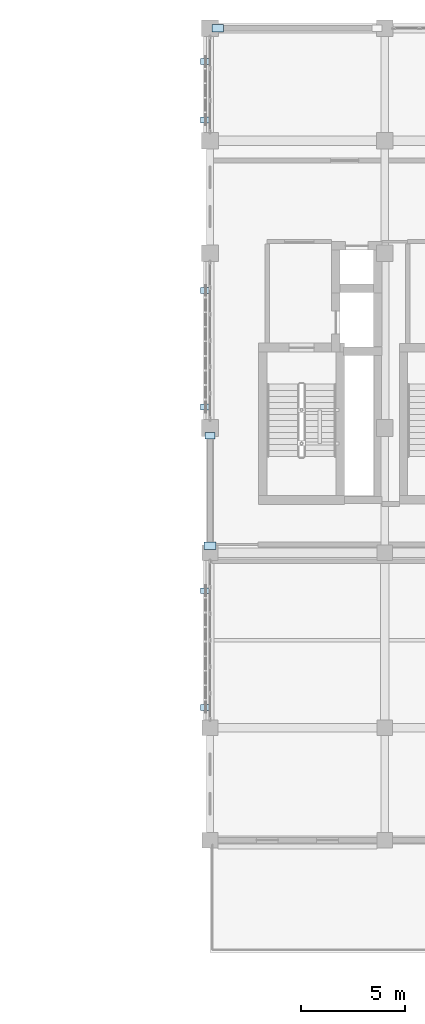
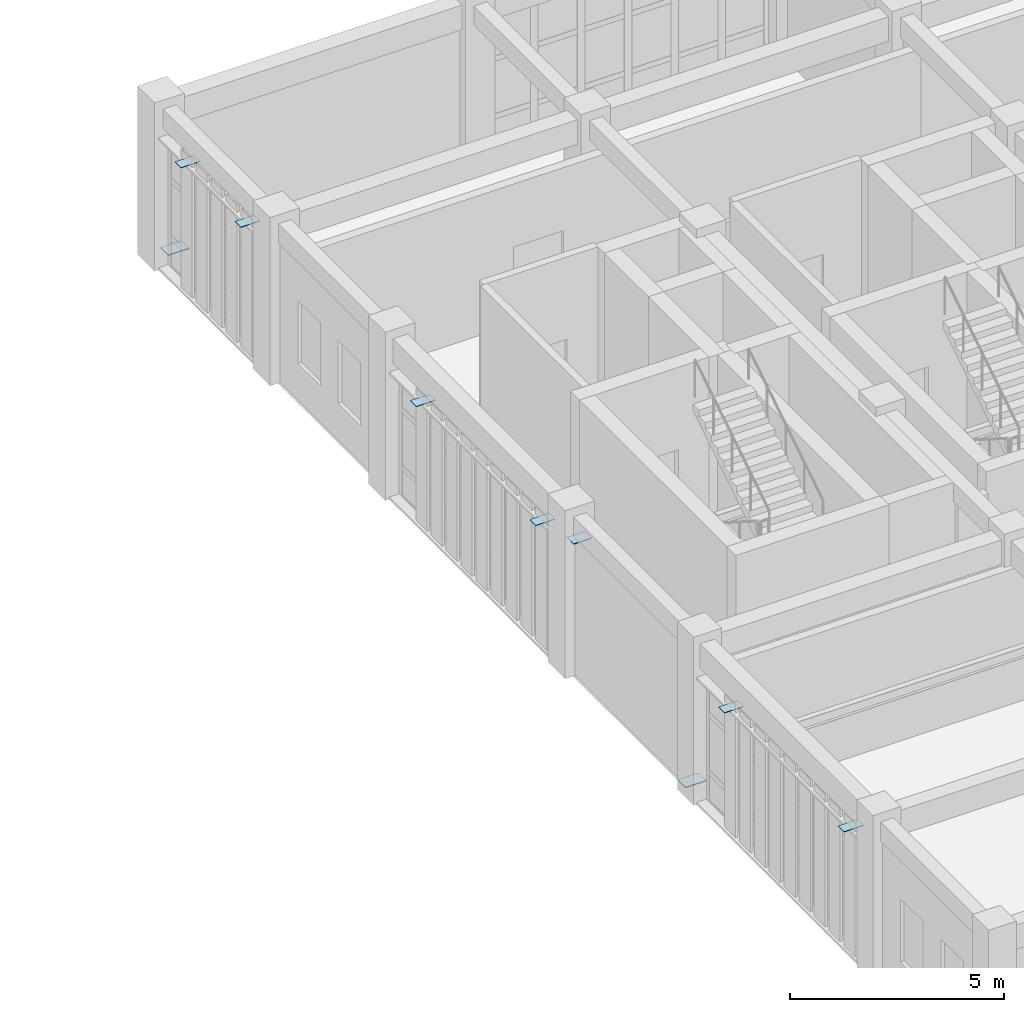
# One storey, part 65 of 76: 9 plates.
"""IFC4 building model written with IfcOpenShell, lengths in metres."""

from ifc_helpers import new_model, si_unit, direction, frame, origin, origin_2d, place, context, subcontext, project, spatial, rectangle, extrude, material, layer, layer_set, type_object, element, save


model = new_model("IFC4")

# Units and contexts
model_context = context("Model", 3, precision=1e-05, world=origin(), true_north=direction((0.0, 1.0)))
body_context = subcontext(model_context, "Body", "Model", "MODEL_VIEW")
ifc_project = project(units=[si_unit("LENGTHUNIT", "METRE"), si_unit("AREAUNIT", "SQUARE_METRE"), si_unit("VOLUMEUNIT", "CUBIC_METRE"), si_unit("PLANEANGLEUNIT", "RADIAN"), si_unit("MASSUNIT", "GRAM", prefix="KILO")], contexts=[model_context])

# Site, building, storey
site_placement = place(None, origin())
site = spatial("IfcSite", under=ifc_project, at=site_placement, CompositionType="ELEMENT")
building_placement = place(site_placement, origin())
building = spatial("IfcBuilding", under=site, at=building_placement, Name="Krzemoval Escarpment Law Courts", CompositionType="ELEMENT")
storey_placement = place(building_placement, frame((0.0, 0.0, 20.39990234375)))
storey = spatial("IfcBuildingStorey", under=building, at=storey_placement, Name="L04", CompositionType="ELEMENT", Elevation=20.39990234375)

# Plates
ifc_material_1 = material(Name="Anodised Aluminium Alloy 6063-T6", Category="aluminium")
ifc_layer_1 = layer(ifc_material_1, 0.01611328125)
ifc_layer_set_1 = layer_set([ifc_layer_1], Name="Anodised Aluminium Alloy 6063-T6")
plate_type_1 = type_object("IfcPlateType", Name="PLT-FIN-16", PredefinedType="USERDEFINED", material=ifc_layer_set_1)
for number, where, z_axis, x_axis, name in (
    (1, (125.800048828125, 86.175048828125, 3.6220703125), (0.0, 0.0, 1.0), (-1.0, 0.0, 0.0), "Sunshade Fin Blade FN-L04-0839"),
    (2, (125.800048828125, 91.77490234375, 3.6220703125), (0.0, 0.0, 1.0), (-1.0, 0.0, 0.0), "Sunshade Fin Blade FN-L04-0847"),
    (3, (125.800048828125, 100.60009765625, 3.6220703125), (0.0, 0.0, 1.0), (-1.0, 0.0, 0.0), "Sunshade Fin Blade FN-L04-0850"),
    (4, (125.800048828125, 106.199951171875, 3.6220703125), (0.0, 0.0, 1.0), (-1.0, 0.0, 0.0), "Sunshade Fin Blade FN-L04-0858"),
    (5, (125.800048828125, 114.39990234375, 3.77197265625), (0.0, 0.0, 1.0), (-1.0, 0.0, 0.0), "Sunshade Fin Blade FN-L04-0861"),
    (6, (125.800048828125, 117.199951171875, 3.77197265625), (0.0, 0.0, 1.0), (-1.0, 0.0, 0.0), "Sunshade Fin Blade FN-L04-0865"),
):
    element("IfcPlate", number, at=place(storey_placement, frame(where, z_axis=z_axis, x_axis=x_axis)), inside=storey, type_object=plate_type_1, Name=name, ObjectType="SUNSHADE_FIN", PredefinedType="USERDEFINED", context=body_context, shape_type="SweptSolid", body=[
        extrude(rectangle(XDim=0.52001953125, YDim=0.280029296875, at=origin_2d()), origin(), (0.0, 0.0, 1.0), 0.01611328125),
    ])
ifc_material_2 = material(Name="Steel S355", Category="steel")
ifc_layer_2 = layer(ifc_material_2, 0.02001953125)
ifc_layer_set_2 = layer_set([ifc_layer_2], Name="Steel S355")
plate_type_2 = type_object("IfcPlateType", Name="PLT-GUS-20", PredefinedType="USERDEFINED", material=ifc_layer_set_2)
plate_placement = place(storey_placement, frame((126.0, 99.22509765625, 3.860107421875), z_axis=(0.0, 0.0, 1.0), x_axis=(1.0, 0.0, 0.0)))
element("IfcPlate", 7, at=plate_placement, inside=storey, type_object=plate_type_2, Name="Gusset and End-Cap Plate ECP-0271", ObjectType="GUSSET_PLATE", PredefinedType="USERDEFINED", context=body_context, shape_type="SweptSolid", body=[
    extrude(rectangle(XDim=0.47998046875, YDim=0.320068359375, at=origin_2d()), origin(), (0.0, 0.0, 1.0), 0.02001953125),
])
ifc_material_3 = material(Name="Steel S355", Category="steel")
ifc_layer_3 = layer(ifc_material_3, 0.030029296875)
ifc_layer_set_3 = layer_set([ifc_layer_3], Name="Steel S355")
plate_type_3 = type_object("IfcPlateType", Name="PLT-GUS-30", PredefinedType="USERDEFINED", material=ifc_layer_set_3)
for number, where, z_axis, x_axis, name in (
    (8, (126.0, 93.949951171875, 0.125), (0.0, 0.0, 1.0), (1.0, 0.0, 0.0), "Gusset and End-Cap Plate ECP-0270"),
    (9, (126.375, 118.800048828125, 0.125), (0.0, 0.0, 1.0), (1.0, 0.0, 0.0), "Gusset and End-Cap Plate ECP-0280"),
):
    element("IfcPlate", number, at=place(storey_placement, frame(where, z_axis=z_axis, x_axis=x_axis)), inside=storey, type_object=plate_type_3, Name=name, ObjectType="GUSSET_PLATE", PredefinedType="USERDEFINED", context=body_context, shape_type="SweptSolid", body=[
        extrude(rectangle(XDim=0.56005859375, YDim=0.360107421875, at=origin_2d()), origin(), (0.0, 0.0, 1.0), 0.030029296875),
    ])

save(model, "model.ifc")
